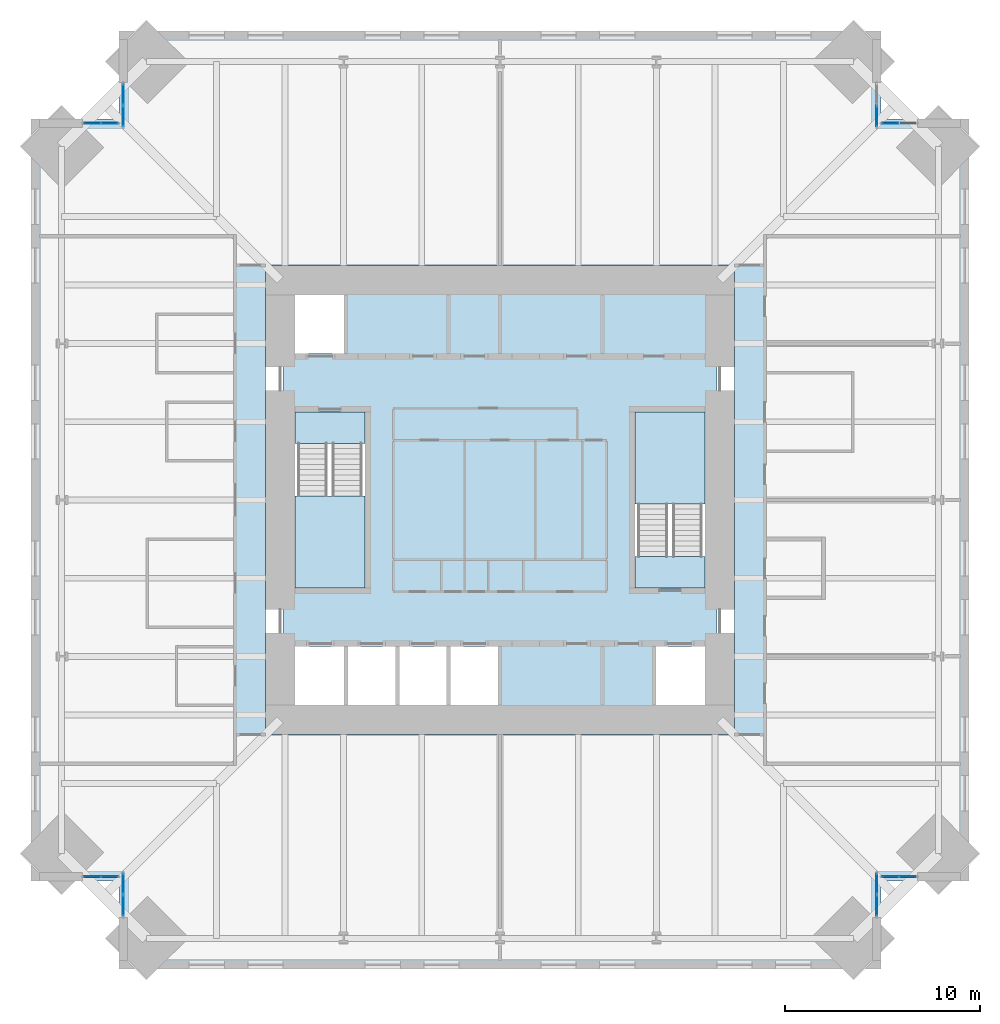
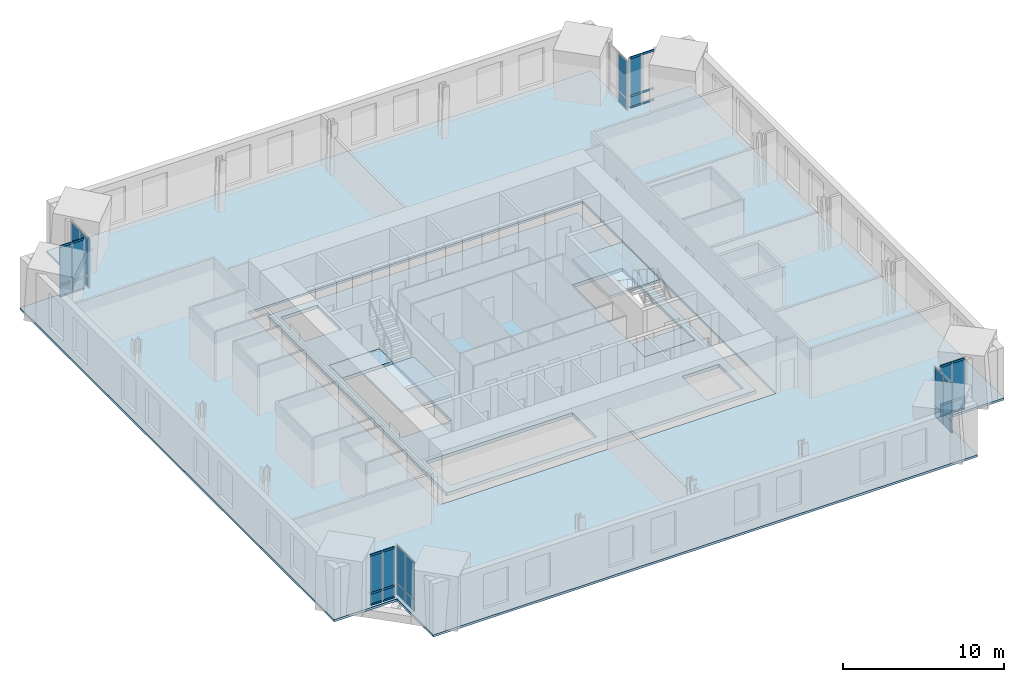
# One storey, part 9 of 15: 28 plates, 24 members, 6 slabs, 10 elements without a shape of their own.
"""IFC4 building model written with IfcOpenShell, lengths in metres."""

from ifc_helpers import new_model, si_unit, direction, frame, origin, origin_2d, place, context, subcontext, project, spatial, polyline, rectangle, hollow_rectangle, outline, extrude, material, layer, layer_set, material_profile, profile_set, type_object, element, aggregate, save


model = new_model("IFC4")

# Units and contexts
model_context = context("Model", 3, precision=1e-05, world=origin(), true_north=direction((0.0, 1.0)))
body_context = subcontext(model_context, "Body", "Model", "MODEL_VIEW")
ifc_project = project(units=[si_unit("LENGTHUNIT", "METRE"), si_unit("AREAUNIT", "SQUARE_METRE"), si_unit("VOLUMEUNIT", "CUBIC_METRE"), si_unit("PLANEANGLEUNIT", "RADIAN"), si_unit("MASSUNIT", "GRAM", prefix="KILO")], contexts=[model_context])

# Site, building, storey
site_placement = place(None, origin())
site = spatial("IfcSite", under=ifc_project, at=site_placement, CompositionType="ELEMENT")
building_placement = place(site_placement, origin())
building = spatial("IfcBuilding", under=site, at=building_placement, Name="Peilmerk Tower", CompositionType="ELEMENT")
storey_placement = place(building_placement, frame((0.0, 0.0, 209.800048828125)))
storey = spatial("IfcBuildingStorey", under=building, at=storey_placement, Name="L45", CompositionType="ELEMENT", Elevation=209.800048828125)

# Curtain wall, members
ifc_material_1 = material(Name="Aluminium stick curtain wall", Category="aluminium")
curtain_wall_type = type_object("IfcCurtainWallType", Name="CW4 stick curtain wall, 2250 module", PredefinedType="NOTDEFINED", material=ifc_material_1)
curtain_wall_1_placement = place(storey_placement, origin())
curtain_wall_1 = element("IfcCurtainWall", 1, at=curtain_wall_1_placement, inside=storey, type_object=curtain_wall_type, Name="Curtain wall CW4 NEB L45", PredefinedType="NOTDEFINED")
ifc_material_2 = material(Name="Aluminium EN AW-6063 T6", Category="aluminium")
ifc_material_profile = material_profile(ifc_material_2, hollow_rectangle(XDim=0.06494140625, YDim=0.14990234375, WallThickness=0.0029296875, at=origin_2d()), Name="AL 150x65x3")
ifc_profile_set = profile_set([ifc_material_profile], Name="Aluminium EN AW-6063 T6")
member_type = type_object("IfcMemberType", Name="CW4-T AL 150x65x3 transom", PredefinedType="USERDEFINED", material=ifc_profile_set)
member_1_placement = place(storey_placement, frame((19.56494140625, 19.27490234375, 0.032470703125), z_axis=(1.0, 0.0, 0.0), x_axis=(0.0, 1.0, 0.0)))
member_1 = element("IfcMember", 2, at=member_1_placement, type_object=member_type, Name="CW4 transom 1.1", ObjectType="TRANSOM", PredefinedType="USERDEFINED", context=body_context, shape_type="SweptSolid", body=[
    extrude(hollow_rectangle(XDim=0.06494140625, YDim=0.14990234375, WallThickness=0.0029296875, at=origin_2d()), origin(), (0.0, 0.0, 1.0), 0.82177734375),
])
member_2_placement = place(storey_placement, frame((19.56494140625, 19.27490234375, 0.89990234375), z_axis=(1.0, 0.0, 0.0), x_axis=(0.0, 1.0, 0.0)))
member_2 = element("IfcMember", 3, at=member_2_placement, type_object=member_type, Name="CW4 transom 1.2", ObjectType="TRANSOM", PredefinedType="USERDEFINED", context=body_context, shape_type="SweptSolid", body=[
    extrude(hollow_rectangle(XDim=0.06494140625, YDim=0.14990234375, WallThickness=0.0029296875, at=origin_2d()), origin(), (0.0, 0.0, 1.0), 0.82177734375),
])
member_3_placement = place(storey_placement, frame((19.56494140625, 19.27490234375, 3.79736328125), z_axis=(1.0, 0.0, 0.0), x_axis=(0.0, 1.0, 0.0)))
member_3 = element("IfcMember", 4, at=member_3_placement, type_object=member_type, Name="CW4 transom 1.3", ObjectType="TRANSOM", PredefinedType="USERDEFINED", context=body_context, shape_type="SweptSolid", body=[
    extrude(hollow_rectangle(XDim=0.06494140625, YDim=0.14990234375, WallThickness=0.0029296875, at=origin_2d()), origin(), (0.0, 0.0, 1.0), 0.82177734375),
])
member_4_placement = place(storey_placement, frame((20.451904296875, 19.27490234375, 0.032470703125), z_axis=(1.0, 0.0, 0.0), x_axis=(0.0, 1.0, 0.0)))
member_4 = element("IfcMember", 5, at=member_4_placement, type_object=member_type, Name="CW4 transom 2.1", ObjectType="TRANSOM", PredefinedType="USERDEFINED", context=body_context, shape_type="SweptSolid", body=[
    extrude(hollow_rectangle(XDim=0.06494140625, YDim=0.14990234375, WallThickness=0.0029296875, at=origin_2d()), origin(), (0.0, 0.0, 1.0), 0.82177734375),
])
member_5_placement = place(storey_placement, frame((20.451904296875, 19.27490234375, 0.89990234375), z_axis=(1.0, 0.0, 0.0), x_axis=(0.0, 1.0, 0.0)))
member_5 = element("IfcMember", 6, at=member_5_placement, type_object=member_type, Name="CW4 transom 2.2", ObjectType="TRANSOM", PredefinedType="USERDEFINED", context=body_context, shape_type="SweptSolid", body=[
    extrude(hollow_rectangle(XDim=0.06494140625, YDim=0.14990234375, WallThickness=0.0029296875, at=origin_2d()), origin(), (0.0, 0.0, 1.0), 0.82177734375),
])
member_6_placement = place(storey_placement, frame((20.451904296875, 19.27490234375, 3.79736328125), z_axis=(1.0, 0.0, 0.0), x_axis=(0.0, 1.0, 0.0)))
member_6 = element("IfcMember", 7, at=member_6_placement, type_object=member_type, Name="CW4 transom 2.3", ObjectType="TRANSOM", PredefinedType="USERDEFINED", context=body_context, shape_type="SweptSolid", body=[
    extrude(hollow_rectangle(XDim=0.06494140625, YDim=0.14990234375, WallThickness=0.0029296875, at=origin_2d()), origin(), (0.0, 0.0, 1.0), 0.82177734375),
])

curtain_wall_2_placement = place(storey_placement, origin())
curtain_wall_2 = element("IfcCurtainWall", 8, at=curtain_wall_2_placement, inside=storey, type_object=curtain_wall_type, Name="Curtain wall CW4 SEB L45", PredefinedType="NOTDEFINED")
member_7_placement = place(storey_placement, frame((19.56494140625, -19.27490234375, 0.032470703125), z_axis=(1.0, 0.0, 0.0), x_axis=(0.0, 1.0, 0.0)))
member_7 = element("IfcMember", 9, at=member_7_placement, type_object=member_type, Name="CW4 transom 1.1", ObjectType="TRANSOM", PredefinedType="USERDEFINED", context=body_context, shape_type="SweptSolid", body=[
    extrude(hollow_rectangle(XDim=0.06494140625, YDim=0.14990234375, WallThickness=0.0029296875, at=origin_2d()), origin(), (0.0, 0.0, 1.0), 0.82177734375),
])
member_8_placement = place(storey_placement, frame((19.56494140625, -19.27490234375, 0.89990234375), z_axis=(1.0, 0.0, 0.0), x_axis=(0.0, 1.0, 0.0)))
member_8 = element("IfcMember", 10, at=member_8_placement, type_object=member_type, Name="CW4 transom 1.2", ObjectType="TRANSOM", PredefinedType="USERDEFINED", context=body_context, shape_type="SweptSolid", body=[
    extrude(hollow_rectangle(XDim=0.06494140625, YDim=0.14990234375, WallThickness=0.0029296875, at=origin_2d()), origin(), (0.0, 0.0, 1.0), 0.82177734375),
])
member_9_placement = place(storey_placement, frame((19.56494140625, -19.27490234375, 3.79736328125), z_axis=(1.0, 0.0, 0.0), x_axis=(0.0, 1.0, 0.0)))
member_9 = element("IfcMember", 11, at=member_9_placement, type_object=member_type, Name="CW4 transom 1.3", ObjectType="TRANSOM", PredefinedType="USERDEFINED", context=body_context, shape_type="SweptSolid", body=[
    extrude(hollow_rectangle(XDim=0.06494140625, YDim=0.14990234375, WallThickness=0.0029296875, at=origin_2d()), origin(), (0.0, 0.0, 1.0), 0.82177734375),
])
member_10_placement = place(storey_placement, frame((20.451904296875, -19.27490234375, 0.032470703125), z_axis=(1.0, 0.0, 0.0), x_axis=(0.0, 1.0, 0.0)))
member_10 = element("IfcMember", 12, at=member_10_placement, type_object=member_type, Name="CW4 transom 2.1", ObjectType="TRANSOM", PredefinedType="USERDEFINED", context=body_context, shape_type="SweptSolid", body=[
    extrude(hollow_rectangle(XDim=0.06494140625, YDim=0.14990234375, WallThickness=0.0029296875, at=origin_2d()), origin(), (0.0, 0.0, 1.0), 0.82177734375),
])
member_11_placement = place(storey_placement, frame((20.451904296875, -19.27490234375, 0.89990234375), z_axis=(1.0, 0.0, 0.0), x_axis=(0.0, 1.0, 0.0)))
member_11 = element("IfcMember", 13, at=member_11_placement, type_object=member_type, Name="CW4 transom 2.2", ObjectType="TRANSOM", PredefinedType="USERDEFINED", context=body_context, shape_type="SweptSolid", body=[
    extrude(hollow_rectangle(XDim=0.06494140625, YDim=0.14990234375, WallThickness=0.0029296875, at=origin_2d()), origin(), (0.0, 0.0, 1.0), 0.82177734375),
])
member_12_placement = place(storey_placement, frame((20.451904296875, -19.27490234375, 3.79736328125), z_axis=(1.0, 0.0, 0.0), x_axis=(0.0, 1.0, 0.0)))
member_12 = element("IfcMember", 14, at=member_12_placement, type_object=member_type, Name="CW4 transom 2.3", ObjectType="TRANSOM", PredefinedType="USERDEFINED", context=body_context, shape_type="SweptSolid", body=[
    extrude(hollow_rectangle(XDim=0.06494140625, YDim=0.14990234375, WallThickness=0.0029296875, at=origin_2d()), origin(), (0.0, 0.0, 1.0), 0.82177734375),
])

curtain_wall_3_placement = place(storey_placement, origin())
curtain_wall_3 = element("IfcCurtainWall", 15, at=curtain_wall_3_placement, inside=storey, type_object=curtain_wall_type, Name="Curtain wall CW4 SWB L45", PredefinedType="NOTDEFINED")
member_13_placement = place(storey_placement, frame((-19.56494140625, -19.27490234375, 0.032470703125), z_axis=(-1.0, 0.0, 0.0), x_axis=(0.0, -1.0, 0.0)))
member_13 = element("IfcMember", 16, at=member_13_placement, type_object=member_type, Name="CW4 transom 1.1", ObjectType="TRANSOM", PredefinedType="USERDEFINED", context=body_context, shape_type="SweptSolid", body=[
    extrude(hollow_rectangle(XDim=0.06494140625, YDim=0.14990234375, WallThickness=0.0029296875, at=origin_2d()), origin(), (0.0, 0.0, 1.0), 0.82177734375),
])
member_14_placement = place(storey_placement, frame((-19.56494140625, -19.27490234375, 0.89990234375), z_axis=(-1.0, 0.0, 0.0), x_axis=(0.0, -1.0, 0.0)))
member_14 = element("IfcMember", 17, at=member_14_placement, type_object=member_type, Name="CW4 transom 1.2", ObjectType="TRANSOM", PredefinedType="USERDEFINED", context=body_context, shape_type="SweptSolid", body=[
    extrude(hollow_rectangle(XDim=0.06494140625, YDim=0.14990234375, WallThickness=0.0029296875, at=origin_2d()), origin(), (0.0, 0.0, 1.0), 0.82177734375),
])
member_15_placement = place(storey_placement, frame((-19.56494140625, -19.27490234375, 3.79736328125), z_axis=(-1.0, 0.0, 0.0), x_axis=(0.0, -1.0, 0.0)))
member_15 = element("IfcMember", 18, at=member_15_placement, type_object=member_type, Name="CW4 transom 1.3", ObjectType="TRANSOM", PredefinedType="USERDEFINED", context=body_context, shape_type="SweptSolid", body=[
    extrude(hollow_rectangle(XDim=0.06494140625, YDim=0.14990234375, WallThickness=0.0029296875, at=origin_2d()), origin(), (0.0, 0.0, 1.0), 0.82177734375),
])
member_16_placement = place(storey_placement, frame((-20.451904296875, -19.27490234375, 0.032470703125), z_axis=(-1.0, 0.0, 0.0), x_axis=(0.0, -1.0, 0.0)))
member_16 = element("IfcMember", 19, at=member_16_placement, type_object=member_type, Name="CW4 transom 2.1", ObjectType="TRANSOM", PredefinedType="USERDEFINED", context=body_context, shape_type="SweptSolid", body=[
    extrude(hollow_rectangle(XDim=0.06494140625, YDim=0.14990234375, WallThickness=0.0029296875, at=origin_2d()), origin(), (0.0, 0.0, 1.0), 0.82177734375),
])
member_17_placement = place(storey_placement, frame((-20.451904296875, -19.27490234375, 0.89990234375), z_axis=(-1.0, 0.0, 0.0), x_axis=(0.0, -1.0, 0.0)))
member_17 = element("IfcMember", 20, at=member_17_placement, type_object=member_type, Name="CW4 transom 2.2", ObjectType="TRANSOM", PredefinedType="USERDEFINED", context=body_context, shape_type="SweptSolid", body=[
    extrude(hollow_rectangle(XDim=0.06494140625, YDim=0.14990234375, WallThickness=0.0029296875, at=origin_2d()), origin(), (0.0, 0.0, 1.0), 0.82177734375),
])
member_18_placement = place(storey_placement, frame((-20.451904296875, -19.27490234375, 3.79736328125), z_axis=(-1.0, 0.0, 0.0), x_axis=(0.0, -1.0, 0.0)))
member_18 = element("IfcMember", 21, at=member_18_placement, type_object=member_type, Name="CW4 transom 2.3", ObjectType="TRANSOM", PredefinedType="USERDEFINED", context=body_context, shape_type="SweptSolid", body=[
    extrude(hollow_rectangle(XDim=0.06494140625, YDim=0.14990234375, WallThickness=0.0029296875, at=origin_2d()), origin(), (0.0, 0.0, 1.0), 0.82177734375),
])

curtain_wall_4_placement = place(storey_placement, origin())
curtain_wall_4 = element("IfcCurtainWall", 22, at=curtain_wall_4_placement, inside=storey, type_object=curtain_wall_type, Name="Curtain wall CW4 NWB L45", PredefinedType="NOTDEFINED")
member_19_placement = place(storey_placement, frame((-19.56494140625, 19.27490234375, 0.032470703125), z_axis=(-1.0, 0.0, 0.0), x_axis=(0.0, -1.0, 0.0)))
member_19 = element("IfcMember", 23, at=member_19_placement, type_object=member_type, Name="CW4 transom 1.1", ObjectType="TRANSOM", PredefinedType="USERDEFINED", context=body_context, shape_type="SweptSolid", body=[
    extrude(hollow_rectangle(XDim=0.06494140625, YDim=0.14990234375, WallThickness=0.0029296875, at=origin_2d()), origin(), (0.0, 0.0, 1.0), 0.82177734375),
])
member_20_placement = place(storey_placement, frame((-19.56494140625, 19.27490234375, 0.89990234375), z_axis=(-1.0, 0.0, 0.0), x_axis=(0.0, -1.0, 0.0)))
member_20 = element("IfcMember", 24, at=member_20_placement, type_object=member_type, Name="CW4 transom 1.2", ObjectType="TRANSOM", PredefinedType="USERDEFINED", context=body_context, shape_type="SweptSolid", body=[
    extrude(hollow_rectangle(XDim=0.06494140625, YDim=0.14990234375, WallThickness=0.0029296875, at=origin_2d()), origin(), (0.0, 0.0, 1.0), 0.82177734375),
])
member_21_placement = place(storey_placement, frame((-19.56494140625, 19.27490234375, 3.79736328125), z_axis=(-1.0, 0.0, 0.0), x_axis=(0.0, -1.0, 0.0)))
member_21 = element("IfcMember", 25, at=member_21_placement, type_object=member_type, Name="CW4 transom 1.3", ObjectType="TRANSOM", PredefinedType="USERDEFINED", context=body_context, shape_type="SweptSolid", body=[
    extrude(hollow_rectangle(XDim=0.06494140625, YDim=0.14990234375, WallThickness=0.0029296875, at=origin_2d()), origin(), (0.0, 0.0, 1.0), 0.82177734375),
])
member_22_placement = place(storey_placement, frame((-20.451904296875, 19.27490234375, 0.032470703125), z_axis=(-1.0, 0.0, 0.0), x_axis=(0.0, -1.0, 0.0)))
member_22 = element("IfcMember", 26, at=member_22_placement, type_object=member_type, Name="CW4 transom 2.1", ObjectType="TRANSOM", PredefinedType="USERDEFINED", context=body_context, shape_type="SweptSolid", body=[
    extrude(hollow_rectangle(XDim=0.06494140625, YDim=0.14990234375, WallThickness=0.0029296875, at=origin_2d()), origin(), (0.0, 0.0, 1.0), 0.82177734375),
])
member_23_placement = place(storey_placement, frame((-20.451904296875, 19.27490234375, 0.89990234375), z_axis=(-1.0, 0.0, 0.0), x_axis=(0.0, -1.0, 0.0)))
member_23 = element("IfcMember", 27, at=member_23_placement, type_object=member_type, Name="CW4 transom 2.2", ObjectType="TRANSOM", PredefinedType="USERDEFINED", context=body_context, shape_type="SweptSolid", body=[
    extrude(hollow_rectangle(XDim=0.06494140625, YDim=0.14990234375, WallThickness=0.0029296875, at=origin_2d()), origin(), (0.0, 0.0, 1.0), 0.82177734375),
])
member_24_placement = place(storey_placement, frame((-20.451904296875, 19.27490234375, 3.79736328125), z_axis=(-1.0, 0.0, 0.0), x_axis=(0.0, -1.0, 0.0)))
member_24 = element("IfcMember", 28, at=member_24_placement, type_object=member_type, Name="CW4 transom 2.3", ObjectType="TRANSOM", PredefinedType="USERDEFINED", context=body_context, shape_type="SweptSolid", body=[
    extrude(hollow_rectangle(XDim=0.06494140625, YDim=0.14990234375, WallThickness=0.0029296875, at=origin_2d()), origin(), (0.0, 0.0, 1.0), 0.82177734375),
])

# Slab
ifc_material_3 = material(Name="Concrete C55/67", Category="concrete")
ifc_layer_1 = layer(ifc_material_3, 0.25)
ifc_layer_set_1 = layer_set([ifc_layer_1], Name="Concrete C55/67")
slab_type_1 = type_object("IfcSlabType", Name="CS250 250 core floor slab", PredefinedType="FLOOR", material=ifc_layer_set_1)
slab_1_placement = place(storey_placement, frame((0.0, 0.0, -0.25)))
element("IfcSlab", 29, at=slab_1_placement, inside=storey, type_object=slab_type_1, Name="Core slab L45", PredefinedType="FLOOR", context=body_context, shape_type="SweptSolid", body=[
    extrude(outline(polyline([(11.10009765625, -11.10009765625), (11.10009765625, 11.10009765625), (-11.10009765625, 11.10009765625), (-11.10009765625, -11.10009765625), (11.10009765625, -11.10009765625)]), holes=[polyline([(-7.875, 7.5), (-10.5, 7.5), (-10.5, 10.5), (-7.875, 10.5), (-7.875, 7.5)]), polyline([(0.0, -10.5), (-10.5, -10.5), (-10.5, -7.5), (0.0, -7.5), (0.0, -10.5)]), polyline([(7.875, -10.5), (7.875, -7.5), (10.5, -7.5), (10.5, -10.5), (7.875, -10.5)]), polyline([(-10.5, 4.5), (-6.89990234375, 4.5), (-6.89990234375, -4.5), (-10.5, -4.5), (-10.5, 4.5)]), polyline([(10.5, 4.5), (10.5, -4.5), (6.89990234375, -4.5), (6.89990234375, 4.5), (10.5, 4.5)])]), origin(), (0.0, 0.0, 1.0), 0.25),
])

# Curtain wall, plates
curtain_wall_5_placement = place(storey_placement, origin())
curtain_wall_5 = element("IfcCurtainWall", 30, at=curtain_wall_5_placement, inside=storey, type_object=curtain_wall_type, Name="Curtain wall CW4 NEA L45", PredefinedType="NOTDEFINED")
ifc_material_4 = material(Name="Clear insulated glazing unit", Category="glass")
ifc_layer_2 = layer(ifc_material_4, 0.028076171875)
ifc_layer_set_2 = layer_set([ifc_layer_2], Name="Clear insulated glazing unit")
plate_type = type_object("IfcPlateType", Name="CW4-P 28 glazed panel", PredefinedType="CURTAIN_PANEL", material=ifc_layer_set_2)
plate_1_placement = place(storey_placement, frame((19.27490234375, 19.638427734375, 0.06494140625), z_axis=(0.0, 0.0, 1.0), x_axis=(0.0, 1.0, 0.0)))
plate_1 = element("IfcPlate", 31, at=plate_1_placement, type_object=plate_type, Name="CW4 panel 1.1", PredefinedType="CURTAIN_PANEL", context=body_context, shape_type="SweptSolid", body=[
    extrude(rectangle(XDim=1.046875, YDim=0.028076171875, at=origin_2d()), origin(), (0.0, 0.0, 1.0), 0.802490234375),
])
plate_2_placement = place(storey_placement, frame((19.27490234375, 19.638427734375, 0.932373046875), z_axis=(0.0, 0.0, 1.0), x_axis=(0.0, 1.0, 0.0)))
plate_2 = element("IfcPlate", 32, at=plate_2_placement, type_object=plate_type, Name="CW4 panel 1.2", PredefinedType="CURTAIN_PANEL", context=body_context, shape_type="SweptSolid", body=[
    extrude(rectangle(XDim=1.046875, YDim=0.028076171875, at=origin_2d()), origin(), (0.0, 0.0, 1.0), 2.83251953125),
])
aggregate(curtain_wall_5, [plate_1, plate_2])

# Plate
plate_3_placement = place(storey_placement, frame((19.975830078125, 19.27490234375, 0.06494140625), z_axis=(0.0, 0.0, 1.0), x_axis=(1.0, 0.0, 0.0)))
plate_3 = element("IfcPlate", 33, at=plate_3_placement, type_object=plate_type, Name="CW4 panel 1.1", PredefinedType="CURTAIN_PANEL", context=body_context, shape_type="SweptSolid", body=[
    extrude(rectangle(XDim=0.82177734375, YDim=0.028076171875, at=origin_2d()), origin(), (0.0, 0.0, 1.0), 0.802490234375),
])

plate_4_placement = place(storey_placement, frame((19.975830078125, 19.27490234375, 0.932373046875), z_axis=(0.0, 0.0, 1.0), x_axis=(1.0, 0.0, 0.0)))
plate_4 = element("IfcPlate", 34, at=plate_4_placement, type_object=plate_type, Name="CW4 panel 1.2", PredefinedType="CURTAIN_PANEL", context=body_context, shape_type="SweptSolid", body=[
    extrude(rectangle(XDim=0.82177734375, YDim=0.028076171875, at=origin_2d()), origin(), (0.0, 0.0, 1.0), 2.83251953125),
])

aggregate(curtain_wall_1, [member_1, member_2, member_3, plate_3, plate_4, member_4, member_5, member_6])

# Curtain wall, plates
curtain_wall_6_placement = place(storey_placement, origin())
curtain_wall_6 = element("IfcCurtainWall", 35, at=curtain_wall_6_placement, inside=storey, type_object=curtain_wall_type, Name="Curtain wall CW4 SEA L45", PredefinedType="NOTDEFINED")
plate_5_placement = place(storey_placement, frame((19.27490234375, -19.638427734375, 0.06494140625), z_axis=(0.0, 0.0, 1.0), x_axis=(0.0, -1.0, 0.0)))
plate_5 = element("IfcPlate", 36, at=plate_5_placement, type_object=plate_type, Name="CW4 panel 1.1", PredefinedType="CURTAIN_PANEL", context=body_context, shape_type="SweptSolid", body=[
    extrude(rectangle(XDim=1.046875, YDim=0.028076171875, at=origin_2d()), origin(), (0.0, 0.0, 1.0), 0.802490234375),
])
plate_6_placement = place(storey_placement, frame((19.27490234375, -19.638427734375, 0.932373046875), z_axis=(0.0, 0.0, 1.0), x_axis=(0.0, -1.0, 0.0)))
plate_6 = element("IfcPlate", 37, at=plate_6_placement, type_object=plate_type, Name="CW4 panel 1.2", PredefinedType="CURTAIN_PANEL", context=body_context, shape_type="SweptSolid", body=[
    extrude(rectangle(XDim=1.046875, YDim=0.028076171875, at=origin_2d()), origin(), (0.0, 0.0, 1.0), 2.83251953125),
])
plate_7_placement = place(storey_placement, frame((19.27490234375, -20.750244140625, 0.06494140625), z_axis=(0.0, 0.0, 1.0), x_axis=(0.0, -1.0, 0.0)))
plate_7 = element("IfcPlate", 38, at=plate_7_placement, type_object=plate_type, Name="CW4 panel 2.1", PredefinedType="CURTAIN_PANEL", context=body_context, shape_type="SweptSolid", body=[
    extrude(rectangle(XDim=1.046875, YDim=0.028076171875, at=origin_2d()), origin(), (0.0, 0.0, 1.0), 0.802490234375),
])
plate_8_placement = place(storey_placement, frame((19.27490234375, -20.750244140625, 0.932373046875), z_axis=(0.0, 0.0, 1.0), x_axis=(0.0, -1.0, 0.0)))
plate_8 = element("IfcPlate", 39, at=plate_8_placement, type_object=plate_type, Name="CW4 panel 2.2", PredefinedType="CURTAIN_PANEL", context=body_context, shape_type="SweptSolid", body=[
    extrude(rectangle(XDim=1.046875, YDim=0.028076171875, at=origin_2d()), origin(), (0.0, 0.0, 1.0), 2.83251953125),
])
aggregate(curtain_wall_6, [plate_5, plate_6, plate_7, plate_8])

# Plate
plate_9_placement = place(storey_placement, frame((19.975830078125, -19.27490234375, 0.06494140625), z_axis=(0.0, 0.0, 1.0), x_axis=(1.0, 0.0, 0.0)))
plate_9 = element("IfcPlate", 40, at=plate_9_placement, type_object=plate_type, Name="CW4 panel 1.1", PredefinedType="CURTAIN_PANEL", context=body_context, shape_type="SweptSolid", body=[
    extrude(rectangle(XDim=0.82177734375, YDim=0.028076171875, at=origin_2d()), origin(), (0.0, 0.0, 1.0), 0.802490234375),
])

plate_10_placement = place(storey_placement, frame((19.975830078125, -19.27490234375, 0.932373046875), z_axis=(0.0, 0.0, 1.0), x_axis=(1.0, 0.0, 0.0)))
plate_10 = element("IfcPlate", 41, at=plate_10_placement, type_object=plate_type, Name="CW4 panel 1.2", PredefinedType="CURTAIN_PANEL", context=body_context, shape_type="SweptSolid", body=[
    extrude(rectangle(XDim=0.82177734375, YDim=0.028076171875, at=origin_2d()), origin(), (0.0, 0.0, 1.0), 2.83251953125),
])

plate_11_placement = place(storey_placement, frame((20.86279296875, -19.27490234375, 0.06494140625), z_axis=(0.0, 0.0, 1.0), x_axis=(1.0, 0.0, 0.0)))
plate_11 = element("IfcPlate", 42, at=plate_11_placement, type_object=plate_type, Name="CW4 panel 2.1", PredefinedType="CURTAIN_PANEL", context=body_context, shape_type="SweptSolid", body=[
    extrude(rectangle(XDim=0.82177734375, YDim=0.028076171875, at=origin_2d()), origin(), (0.0, 0.0, 1.0), 0.802490234375),
])

plate_12_placement = place(storey_placement, frame((20.86279296875, -19.27490234375, 0.932373046875), z_axis=(0.0, 0.0, 1.0), x_axis=(1.0, 0.0, 0.0)))
plate_12 = element("IfcPlate", 43, at=plate_12_placement, type_object=plate_type, Name="CW4 panel 2.2", PredefinedType="CURTAIN_PANEL", context=body_context, shape_type="SweptSolid", body=[
    extrude(rectangle(XDim=0.82177734375, YDim=0.028076171875, at=origin_2d()), origin(), (0.0, 0.0, 1.0), 2.83251953125),
])

aggregate(curtain_wall_2, [member_7, member_8, member_9, plate_9, plate_10, member_10, member_11, member_12, plate_11, plate_12])

# Curtain wall, plates
curtain_wall_7_placement = place(storey_placement, origin())
curtain_wall_7 = element("IfcCurtainWall", 44, at=curtain_wall_7_placement, inside=storey, type_object=curtain_wall_type, Name="Curtain wall CW4 SWA L45", PredefinedType="NOTDEFINED")
plate_13_placement = place(storey_placement, frame((-19.27490234375, -19.638427734375, 0.06494140625), z_axis=(0.0, 0.0, 1.0), x_axis=(0.0, -1.0, 0.0)))
plate_13 = element("IfcPlate", 45, at=plate_13_placement, type_object=plate_type, Name="CW4 panel 1.1", PredefinedType="CURTAIN_PANEL", context=body_context, shape_type="SweptSolid", body=[
    extrude(rectangle(XDim=1.046875, YDim=0.028076171875, at=origin_2d()), origin(), (0.0, 0.0, 1.0), 0.802490234375),
])
plate_14_placement = place(storey_placement, frame((-19.27490234375, -19.638427734375, 0.932373046875), z_axis=(0.0, 0.0, 1.0), x_axis=(0.0, -1.0, 0.0)))
plate_14 = element("IfcPlate", 46, at=plate_14_placement, type_object=plate_type, Name="CW4 panel 1.2", PredefinedType="CURTAIN_PANEL", context=body_context, shape_type="SweptSolid", body=[
    extrude(rectangle(XDim=1.046875, YDim=0.028076171875, at=origin_2d()), origin(), (0.0, 0.0, 1.0), 2.83251953125),
])
plate_15_placement = place(storey_placement, frame((-19.27490234375, -20.750244140625, 0.06494140625), z_axis=(0.0, 0.0, 1.0), x_axis=(0.0, -1.0, 0.0)))
plate_15 = element("IfcPlate", 47, at=plate_15_placement, type_object=plate_type, Name="CW4 panel 2.1", PredefinedType="CURTAIN_PANEL", context=body_context, shape_type="SweptSolid", body=[
    extrude(rectangle(XDim=1.046875, YDim=0.028076171875, at=origin_2d()), origin(), (0.0, 0.0, 1.0), 0.802490234375),
])
plate_16_placement = place(storey_placement, frame((-19.27490234375, -20.750244140625, 0.932373046875), z_axis=(0.0, 0.0, 1.0), x_axis=(0.0, -1.0, 0.0)))
plate_16 = element("IfcPlate", 48, at=plate_16_placement, type_object=plate_type, Name="CW4 panel 2.2", PredefinedType="CURTAIN_PANEL", context=body_context, shape_type="SweptSolid", body=[
    extrude(rectangle(XDim=1.046875, YDim=0.028076171875, at=origin_2d()), origin(), (0.0, 0.0, 1.0), 2.83251953125),
])
aggregate(curtain_wall_7, [plate_13, plate_14, plate_15, plate_16])

# Plate
plate_17_placement = place(storey_placement, frame((-19.975830078125, -19.27490234375, 0.06494140625), z_axis=(0.0, 0.0, 1.0), x_axis=(-1.0, 0.0, 0.0)))
plate_17 = element("IfcPlate", 49, at=plate_17_placement, type_object=plate_type, Name="CW4 panel 1.1", PredefinedType="CURTAIN_PANEL", context=body_context, shape_type="SweptSolid", body=[
    extrude(rectangle(XDim=0.82177734375, YDim=0.028076171875, at=origin_2d()), origin(), (0.0, 0.0, 1.0), 0.802490234375),
])

plate_18_placement = place(storey_placement, frame((-19.975830078125, -19.27490234375, 0.932373046875), z_axis=(0.0, 0.0, 1.0), x_axis=(-1.0, 0.0, 0.0)))
plate_18 = element("IfcPlate", 50, at=plate_18_placement, type_object=plate_type, Name="CW4 panel 1.2", PredefinedType="CURTAIN_PANEL", context=body_context, shape_type="SweptSolid", body=[
    extrude(rectangle(XDim=0.82177734375, YDim=0.028076171875, at=origin_2d()), origin(), (0.0, 0.0, 1.0), 2.83251953125),
])

plate_19_placement = place(storey_placement, frame((-20.86279296875, -19.27490234375, 0.06494140625), z_axis=(0.0, 0.0, 1.0), x_axis=(-1.0, 0.0, 0.0)))
plate_19 = element("IfcPlate", 51, at=plate_19_placement, type_object=plate_type, Name="CW4 panel 2.1", PredefinedType="CURTAIN_PANEL", context=body_context, shape_type="SweptSolid", body=[
    extrude(rectangle(XDim=0.82177734375, YDim=0.028076171875, at=origin_2d()), origin(), (0.0, 0.0, 1.0), 0.802490234375),
])

plate_20_placement = place(storey_placement, frame((-20.86279296875, -19.27490234375, 0.932373046875), z_axis=(0.0, 0.0, 1.0), x_axis=(-1.0, 0.0, 0.0)))
plate_20 = element("IfcPlate", 52, at=plate_20_placement, type_object=plate_type, Name="CW4 panel 2.2", PredefinedType="CURTAIN_PANEL", context=body_context, shape_type="SweptSolid", body=[
    extrude(rectangle(XDim=0.82177734375, YDim=0.028076171875, at=origin_2d()), origin(), (0.0, 0.0, 1.0), 2.83251953125),
])

aggregate(curtain_wall_3, [member_13, member_14, member_15, plate_17, plate_18, member_16, member_17, member_18, plate_19, plate_20])

# Curtain wall, plates
curtain_wall_8_placement = place(storey_placement, origin())
curtain_wall_8 = element("IfcCurtainWall", 53, at=curtain_wall_8_placement, inside=storey, type_object=curtain_wall_type, Name="Curtain wall CW4 NWA L45", PredefinedType="NOTDEFINED")
plate_21_placement = place(storey_placement, frame((-19.27490234375, 19.638427734375, 0.06494140625), z_axis=(0.0, 0.0, 1.0), x_axis=(0.0, 1.0, 0.0)))
plate_21 = element("IfcPlate", 54, at=plate_21_placement, type_object=plate_type, Name="CW4 panel 1.1", PredefinedType="CURTAIN_PANEL", context=body_context, shape_type="SweptSolid", body=[
    extrude(rectangle(XDim=1.046875, YDim=0.028076171875, at=origin_2d()), origin(), (0.0, 0.0, 1.0), 0.802490234375),
])
plate_22_placement = place(storey_placement, frame((-19.27490234375, 19.638427734375, 0.932373046875), z_axis=(0.0, 0.0, 1.0), x_axis=(0.0, 1.0, 0.0)))
plate_22 = element("IfcPlate", 55, at=plate_22_placement, type_object=plate_type, Name="CW4 panel 1.2", PredefinedType="CURTAIN_PANEL", context=body_context, shape_type="SweptSolid", body=[
    extrude(rectangle(XDim=1.046875, YDim=0.028076171875, at=origin_2d()), origin(), (0.0, 0.0, 1.0), 2.83251953125),
])
plate_23_placement = place(storey_placement, frame((-19.27490234375, 20.750244140625, 0.06494140625), z_axis=(0.0, 0.0, 1.0), x_axis=(0.0, 1.0, 0.0)))
plate_23 = element("IfcPlate", 56, at=plate_23_placement, type_object=plate_type, Name="CW4 panel 2.1", PredefinedType="CURTAIN_PANEL", context=body_context, shape_type="SweptSolid", body=[
    extrude(rectangle(XDim=1.046875, YDim=0.028076171875, at=origin_2d()), origin(), (0.0, 0.0, 1.0), 0.802490234375),
])
plate_24_placement = place(storey_placement, frame((-19.27490234375, 20.750244140625, 0.932373046875), z_axis=(0.0, 0.0, 1.0), x_axis=(0.0, 1.0, 0.0)))
plate_24 = element("IfcPlate", 57, at=plate_24_placement, type_object=plate_type, Name="CW4 panel 2.2", PredefinedType="CURTAIN_PANEL", context=body_context, shape_type="SweptSolid", body=[
    extrude(rectangle(XDim=1.046875, YDim=0.028076171875, at=origin_2d()), origin(), (0.0, 0.0, 1.0), 2.83251953125),
])
aggregate(curtain_wall_8, [plate_21, plate_22, plate_23, plate_24])

# Plate
plate_25_placement = place(storey_placement, frame((-19.975830078125, 19.27490234375, 0.06494140625), z_axis=(0.0, 0.0, 1.0), x_axis=(-1.0, 0.0, 0.0)))
plate_25 = element("IfcPlate", 58, at=plate_25_placement, type_object=plate_type, Name="CW4 panel 1.1", PredefinedType="CURTAIN_PANEL", context=body_context, shape_type="SweptSolid", body=[
    extrude(rectangle(XDim=0.82177734375, YDim=0.028076171875, at=origin_2d()), origin(), (0.0, 0.0, 1.0), 0.802490234375),
])

plate_26_placement = place(storey_placement, frame((-19.975830078125, 19.27490234375, 0.932373046875), z_axis=(0.0, 0.0, 1.0), x_axis=(-1.0, 0.0, 0.0)))
plate_26 = element("IfcPlate", 59, at=plate_26_placement, type_object=plate_type, Name="CW4 panel 1.2", PredefinedType="CURTAIN_PANEL", context=body_context, shape_type="SweptSolid", body=[
    extrude(rectangle(XDim=0.82177734375, YDim=0.028076171875, at=origin_2d()), origin(), (0.0, 0.0, 1.0), 2.83251953125),
])

plate_27_placement = place(storey_placement, frame((-20.86279296875, 19.27490234375, 0.06494140625), z_axis=(0.0, 0.0, 1.0), x_axis=(-1.0, 0.0, 0.0)))
plate_27 = element("IfcPlate", 60, at=plate_27_placement, type_object=plate_type, Name="CW4 panel 2.1", PredefinedType="CURTAIN_PANEL", context=body_context, shape_type="SweptSolid", body=[
    extrude(rectangle(XDim=0.82177734375, YDim=0.028076171875, at=origin_2d()), origin(), (0.0, 0.0, 1.0), 0.802490234375),
])

plate_28_placement = place(storey_placement, frame((-20.86279296875, 19.27490234375, 0.932373046875), z_axis=(0.0, 0.0, 1.0), x_axis=(-1.0, 0.0, 0.0)))
plate_28 = element("IfcPlate", 61, at=plate_28_placement, type_object=plate_type, Name="CW4 panel 2.2", PredefinedType="CURTAIN_PANEL", context=body_context, shape_type="SweptSolid", body=[
    extrude(rectangle(XDim=0.82177734375, YDim=0.028076171875, at=origin_2d()), origin(), (0.0, 0.0, 1.0), 2.83251953125),
])

aggregate(curtain_wall_4, [member_19, member_20, member_21, plate_25, plate_26, member_22, member_23, member_24, plate_27, plate_28])

# Slab
ifc_material_5 = material(Name="Concrete C35/45", Category="concrete")
ifc_layer_3 = layer(ifc_material_5, 0.169921875)
ifc_layer_set_3 = layer_set([ifc_layer_3], Name="Concrete C35/45")
slab_type_2 = type_object("IfcSlabType", Name="FS170 170 composite floor slab", PredefinedType="FLOOR", material=ifc_layer_set_3)
slab_2_placement = place(storey_placement, frame((0.0, 0.0, -0.170166015625)))
element("IfcSlab", 62, at=slab_2_placement, inside=storey, type_object=slab_type_2, Name="Floor slab L45", PredefinedType="FLOOR", context=body_context, shape_type="SweptSolid", body=[
    extrude(outline(polyline([(-19.5, -24.0), (19.5, -24.0), (19.5, -19.5), (24.0, -19.5), (24.0, 19.5), (19.5, 19.5), (19.5, 24.0), (-19.5, 24.0), (-19.5, 19.5), (-24.0, 19.5), (-24.0, -19.5), (-19.5, -19.5), (-19.5, -24.0)]), holes=[polyline([(12.0, 12.0), (12.0, -12.0), (-12.0, -12.0), (-12.0, 12.0), (12.0, 12.0)])]), origin(), (0.0, 0.0, 1.0), 0.170166015625),
])

# Stair, slab
ifc_material_6 = material(Name="Precast concrete C45/55", Category="concrete")
stair_type_1 = type_object("IfcStairType", Name="ST1 22 risers of 181.8", PredefinedType="HALF_TURN_STAIR", material=ifc_material_6)
stair_1_placement = place(storey_placement, origin())
stair_1 = element("IfcStair", 63, at=stair_1_placement, inside=storey, type_object=stair_type_1, Name="Stair 1 L45 to L46", PredefinedType="HALF_TURN_STAIR")
ifc_layer_4 = layer(ifc_material_5, 0.199951171875)
ifc_layer_set_4 = layer_set([ifc_layer_4], Name="Concrete C35/45")
slab_type_3 = type_object("IfcSlabType", Name="SL1 200 concrete stair landing", PredefinedType="LANDING", material=ifc_layer_set_4)
slab_3_placement = place(storey_placement, frame((0.0, 0.0, 1.800048828125)))
slab_3 = element("IfcSlab", 64, at=slab_3_placement, type_object=slab_type_3, Name="ST1 landing 1", PredefinedType="LANDING", context=body_context, shape_type="SweptSolid", body=[
    extrude(outline(polyline([(-10.5, -4.5), (-6.89990234375, -4.5), (-6.89990234375, 0.199951171875), (-10.5, 0.199951171875), (-10.5, -4.5)])), origin(), (0.0, 0.0, 1.0), 0.199951171875),
])

stair_type_2 = type_object("IfcStairType", Name="ST2 22 risers of 181.8", PredefinedType="HALF_TURN_STAIR", material=ifc_material_6)
stair_2_placement = place(storey_placement, origin())
stair_2 = element("IfcStair", 65, at=stair_2_placement, inside=storey, type_object=stair_type_2, Name="Stair 2 L45 to L46", PredefinedType="HALF_TURN_STAIR")
slab_4_placement = place(storey_placement, frame((0.0, 0.0, 1.800048828125)))
slab_4 = element("IfcSlab", 66, at=slab_4_placement, type_object=slab_type_3, Name="ST2 landing 1", PredefinedType="LANDING", context=body_context, shape_type="SweptSolid", body=[
    extrude(outline(polyline([(6.89990234375, -0.199951171875), (10.5, -0.199951171875), (10.5, 4.5), (6.89990234375, 4.5), (6.89990234375, -0.199951171875)])), origin(), (0.0, 0.0, 1.0), 0.199951171875),
])

# Slab
ifc_layer_5 = layer(ifc_material_5, 0.25)
ifc_layer_set_5 = layer_set([ifc_layer_5], Name="Concrete C35/45")
slab_type_4 = type_object("IfcSlabType", Name="SL2 250 concrete floor landing", PredefinedType="LANDING", material=ifc_layer_set_5)
slab_5_placement = place(storey_placement, frame((0.0, 0.0, -0.25)))
slab_5 = element("IfcSlab", 67, at=slab_5_placement, type_object=slab_type_4, Name="ST1 floor landing", PredefinedType="LANDING", context=body_context, shape_type="SweptSolid", body=[
    extrude(outline(polyline([(-10.5, 2.89990234375), (-6.89990234375, 2.89990234375), (-6.89990234375, 4.5), (-10.5, 4.5), (-10.5, 2.89990234375)])), origin(), (0.0, 0.0, 1.0), 0.25),
])

aggregate(stair_1, [slab_3, slab_5])

slab_6_placement = place(storey_placement, frame((0.0, 0.0, -0.25)))
slab_6 = element("IfcSlab", 68, at=slab_6_placement, type_object=slab_type_4, Name="ST2 floor landing", PredefinedType="LANDING", context=body_context, shape_type="SweptSolid", body=[
    extrude(outline(polyline([(6.89990234375, -4.5), (10.5, -4.5), (10.5, -2.89990234375), (6.89990234375, -2.89990234375), (6.89990234375, -4.5)])), origin(), (0.0, 0.0, 1.0), 0.25),
])

aggregate(stair_2, [slab_4, slab_6])

save(model, "model.ifc")
